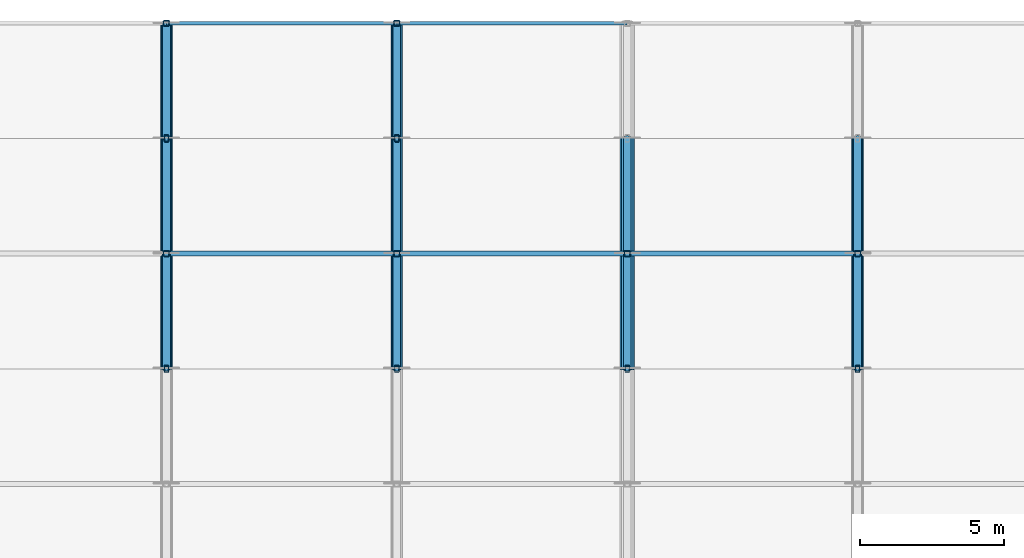
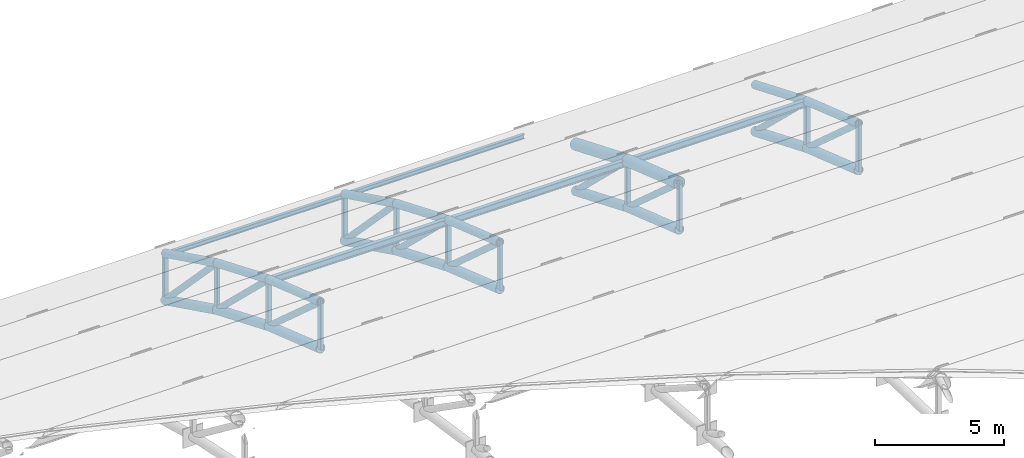
# One storey, part 21 of 98: 47 members.
"""IFC4 building model written with IfcOpenShell, lengths in metres."""

from ifc_helpers import new_model, si_unit, direction, frame, origin, origin_2d, place, context, subcontext, project, spatial, hollow_rectangle, hollow_circle, i_section, extrude, material, material_profile, profile_set, type_object, element, save


model = new_model("IFC4")

# Units and contexts
model_context = context("Model", 3, precision=1e-05, world=origin(), true_north=direction((0.0, 1.0)))
body_context = subcontext(model_context, "Body", "Model", "MODEL_VIEW")
ifc_project = project(units=[si_unit("LENGTHUNIT", "METRE"), si_unit("AREAUNIT", "SQUARE_METRE"), si_unit("VOLUMEUNIT", "CUBIC_METRE"), si_unit("PLANEANGLEUNIT", "RADIAN"), si_unit("MASSUNIT", "GRAM", prefix="KILO")], contexts=[model_context])

# Site, building, storey
site_placement = place(None, origin())
site = spatial("IfcSite", under=ifc_project, at=site_placement, CompositionType="ELEMENT")
building_placement = place(site_placement, origin())
building = spatial("IfcBuilding", under=site, at=building_placement, Name="Tlacozan Convention Centre", CompositionType="ELEMENT")
storey_placement = place(building_placement, frame((0.0, 0.0, 25.800048828125)))
storey = spatial("IfcBuildingStorey", under=building, at=storey_placement, Name="Roof", CompositionType="ELEMENT", Elevation=25.800048828125)

# Members
ifc_material_1 = material(Name="Steel ASTM A500 Grade C", Category="steel")
ifc_material_profile_1 = material_profile(ifc_material_1, hollow_circle(Radius=0.203125, WallThickness=0.015869140625, at=origin_2d()), Name="OC 406.4x15.9")
ifc_profile_set_1 = profile_set([ifc_material_profile_1], Name="Steel ASTM A500 Grade C")
member_type_1 = type_object("IfcMemberType", Name="Arch Bottom Chord OC 406.4x15.9", PredefinedType="CHORD", material=ifc_profile_set_1)
member_1_placement = place(storey_placement, frame((32.0, 114.0, -7.807861328125), z_axis=(0.0, 0.946164915813, -0.323684958077), x_axis=(-1.0, 0.0, 0.0)))
element("IfcMember", 1, at=member_1_placement, inside=storey, type_object=member_type_1, Name="V2A Roof Truss 5 Bottom Chord 14", PredefinedType="CHORD", context=body_context, shape_type="SweptSolid", body=[
    extrude(hollow_circle(Radius=0.203125, WallThickness=0.015869140625, at=origin_2d()), origin(), (0.0, 0.0, 1.0), 4.2275390625),
])
member_2_placement = place(storey_placement, frame((32.0, 118.0, -9.17626953125), z_axis=(0.0, 0.923948802258, -0.382516157575), x_axis=(-1.0, 0.0, 0.0)))
element("IfcMember", 2, at=member_2_placement, inside=storey, type_object=member_type_1, Name="V2A Roof Truss 5 Bottom Chord 15", PredefinedType="CHORD", context=body_context, shape_type="SweptSolid", body=[
    extrude(hollow_circle(Radius=0.203125, WallThickness=0.015869140625, at=origin_2d()), origin(), (0.0, 0.0, 1.0), 4.329345703125),
])
member_3_placement = place(storey_placement, frame((32.0, 122.0, -10.832275390625), z_axis=(0.0, 0.897300183135, -0.441420866459), x_axis=(-1.0, 0.0, 0.0)))
element("IfcMember", 3, at=member_3_placement, inside=storey, type_object=member_type_1, Name="V2A Roof Truss 5 Bottom Chord 16", PredefinedType="CHORD", context=body_context, shape_type="SweptSolid", body=[
    extrude(hollow_circle(Radius=0.203125, WallThickness=0.015869140625, at=origin_2d()), origin(), (0.0, 0.0, 1.0), 4.457763671875),
])
member_4_placement = place(storey_placement, frame((40.0, 114.0, -7.807861328125), z_axis=(0.0, 0.946164915813, -0.323684958077), x_axis=(-1.0, 0.0, 0.0)))
element("IfcMember", 4, at=member_4_placement, inside=storey, type_object=member_type_1, Name="V2A Roof Truss 6 Bottom Chord 14", PredefinedType="CHORD", context=body_context, shape_type="SweptSolid", body=[
    extrude(hollow_circle(Radius=0.203125, WallThickness=0.015869140625, at=origin_2d()), origin(), (0.0, 0.0, 1.0), 4.2275390625),
])
member_5_placement = place(storey_placement, frame((40.0, 118.0, -9.17626953125), z_axis=(0.0, 0.923948802258, -0.382516157575), x_axis=(-1.0, 0.0, 0.0)))
element("IfcMember", 5, at=member_5_placement, inside=storey, type_object=member_type_1, Name="V2A Roof Truss 6 Bottom Chord 15", PredefinedType="CHORD", context=body_context, shape_type="SweptSolid", body=[
    extrude(hollow_circle(Radius=0.203125, WallThickness=0.015869140625, at=origin_2d()), origin(), (0.0, 0.0, 1.0), 4.329345703125),
])
member_6_placement = place(storey_placement, frame((40.0, 122.0, -10.832275390625), z_axis=(0.0, 0.897300183135, -0.441420866459), x_axis=(-1.0, 0.0, 0.0)))
element("IfcMember", 6, at=member_6_placement, inside=storey, type_object=member_type_1, Name="V2A Roof Truss 6 Bottom Chord 16", PredefinedType="CHORD", context=body_context, shape_type="SweptSolid", body=[
    extrude(hollow_circle(Radius=0.203125, WallThickness=0.015869140625, at=origin_2d()), origin(), (0.0, 0.0, 1.0), 4.457763671875),
])
member_7_placement = place(storey_placement, frame((48.0, 114.0, -7.807861328125), z_axis=(0.0, 0.946164915813, -0.323684958077), x_axis=(-1.0, 0.0, 0.0)))
element("IfcMember", 7, at=member_7_placement, inside=storey, type_object=member_type_1, Name="V2A Roof Truss 7 Bottom Chord 14", PredefinedType="CHORD", context=body_context, shape_type="SweptSolid", body=[
    extrude(hollow_circle(Radius=0.203125, WallThickness=0.015869140625, at=origin_2d()), origin(), (0.0, 0.0, 1.0), 4.2275390625),
])
member_8_placement = place(storey_placement, frame((48.0, 118.0, -9.17626953125), z_axis=(0.0, 0.923948802258, -0.382516157575), x_axis=(-1.0, 0.0, 0.0)))
element("IfcMember", 8, at=member_8_placement, inside=storey, type_object=member_type_1, Name="V2A Roof Truss 7 Bottom Chord 15", PredefinedType="CHORD", context=body_context, shape_type="SweptSolid", body=[
    extrude(hollow_circle(Radius=0.203125, WallThickness=0.015869140625, at=origin_2d()), origin(), (0.0, 0.0, 1.0), 4.329345703125),
])
member_9_placement = place(storey_placement, frame((56.0, 114.0, -7.807861328125), z_axis=(0.0, 0.946164915813, -0.323684958077), x_axis=(-1.0, 0.0, 0.0)))
element("IfcMember", 9, at=member_9_placement, inside=storey, type_object=member_type_1, Name="V2A Roof Truss 8 Bottom Chord 14", PredefinedType="CHORD", context=body_context, shape_type="SweptSolid", body=[
    extrude(hollow_circle(Radius=0.203125, WallThickness=0.015869140625, at=origin_2d()), origin(), (0.0, 0.0, 1.0), 4.2275390625),
])
member_10_placement = place(storey_placement, frame((56.0, 118.0, -9.17626953125), z_axis=(0.0, 0.923948802258, -0.382516157575), x_axis=(-1.0, 0.0, 0.0)))
element("IfcMember", 10, at=member_10_placement, inside=storey, type_object=member_type_1, Name="V2A Roof Truss 8 Bottom Chord 15", PredefinedType="CHORD", context=body_context, shape_type="SweptSolid", body=[
    extrude(hollow_circle(Radius=0.203125, WallThickness=0.015869140625, at=origin_2d()), origin(), (0.0, 0.0, 1.0), 4.329345703125),
])
ifc_material_profile_2 = material_profile(ifc_material_1, hollow_circle(Radius=0.25390625, WallThickness=0.01904296875, at=origin_2d()), Name="OC 508.0x19.1")
ifc_profile_set_2 = profile_set([ifc_material_profile_2], Name="Steel ASTM A500 Grade C")
member_type_2 = type_object("IfcMemberType", Name="Arch Top Chord OC 508x19.1", PredefinedType="CHORD", material=ifc_profile_set_2)
member_11_placement = place(storey_placement, frame((48.0, 114.0, -5.607666015625), z_axis=(0.0, 0.946164915813, -0.323684958077), x_axis=(-1.0, 0.0, 0.0)))
element("IfcMember", 11, at=member_11_placement, inside=storey, type_object=member_type_2, Name="V2A Roof Truss 7 Top Chord 14", PredefinedType="CHORD", context=body_context, shape_type="SweptSolid", body=[
    extrude(hollow_circle(Radius=0.25390625, WallThickness=0.01904296875, at=origin_2d()), origin(), (0.0, 0.0, 1.0), 4.2275390625),
])
member_12_placement = place(storey_placement, frame((48.0, 118.0, -6.97607421875), z_axis=(0.0, 0.923928870591, -0.382564297979), x_axis=(-1.0, 0.0, 0.0)))
element("IfcMember", 12, at=member_12_placement, inside=storey, type_object=member_type_2, Name="V2A Roof Truss 7 Top Chord 15", PredefinedType="CHORD", context=body_context, shape_type="SweptSolid", body=[
    extrude(hollow_circle(Radius=0.25390625, WallThickness=0.01904296875, at=origin_2d()), origin(), (0.0, 0.0, 1.0), 4.329345703125),
])
ifc_material_profile_3 = material_profile(ifc_material_1, hollow_circle(Radius=0.136474609375, WallThickness=0.0126953125, at=origin_2d()), Name="OC 273.1x12.7")
ifc_profile_set_3 = profile_set([ifc_material_profile_3], Name="Steel ASTM A500 Grade C")
member_type_3 = type_object("IfcMemberType", Name="Arch Web Diagonal OC 273.1x12.7", PredefinedType="BRACE", material=ifc_profile_set_3)
member_13_placement = place(storey_placement, frame((32.0, 114.0, -5.607666015625), z_axis=(0.0, 0.746199427712, -0.665722475272), x_axis=(-1.0, 0.0, 0.0)))
element("IfcMember", 13, at=member_13_placement, inside=storey, type_object=member_type_3, Name="V2A Roof Truss 5 Web Diagonal 14", PredefinedType="BRACE", context=body_context, shape_type="SweptSolid", body=[
    extrude(hollow_circle(Radius=0.136474609375, WallThickness=0.0126953125, at=origin_2d()), origin(), (0.0, 0.0, 1.0), 5.360595703125),
])
member_14_placement = place(storey_placement, frame((32.0, 118.0, -6.97607421875), z_axis=(0.0, 0.719928977367, -0.694047741547), x_axis=(-1.0, 0.0, 0.0)))
element("IfcMember", 14, at=member_14_placement, inside=storey, type_object=member_type_3, Name="V2A Roof Truss 5 Web Diagonal 15", PredefinedType="BRACE", context=body_context, shape_type="SweptSolid", body=[
    extrude(hollow_circle(Radius=0.136474609375, WallThickness=0.0126953125, at=origin_2d()), origin(), (0.0, 0.0, 1.0), 5.55615234375),
])
member_15_placement = place(storey_placement, frame((32.0, 122.0, -8.63232421875), z_axis=(0.0, 0.69244032859, -0.721475149497), x_axis=(-1.0, 0.0, 0.0)))
element("IfcMember", 15, at=member_15_placement, inside=storey, type_object=member_type_3, Name="V2A Roof Truss 5 Web Diagonal 16", PredefinedType="BRACE", context=body_context, shape_type="SweptSolid", body=[
    extrude(hollow_circle(Radius=0.136474609375, WallThickness=0.0126953125, at=origin_2d()), origin(), (0.0, 0.0, 1.0), 5.776611328125),
])
member_16_placement = place(storey_placement, frame((40.0, 114.0, -5.607666015625), z_axis=(0.0, 0.746199427712, -0.665722475272), x_axis=(-1.0, 0.0, 0.0)))
element("IfcMember", 16, at=member_16_placement, inside=storey, type_object=member_type_3, Name="V2A Roof Truss 6 Web Diagonal 14", PredefinedType="BRACE", context=body_context, shape_type="SweptSolid", body=[
    extrude(hollow_circle(Radius=0.136474609375, WallThickness=0.0126953125, at=origin_2d()), origin(), (0.0, 0.0, 1.0), 5.360595703125),
])
member_17_placement = place(storey_placement, frame((40.0, 118.0, -6.97607421875), z_axis=(0.0, 0.719928977367, -0.694047741547), x_axis=(-1.0, 0.0, 0.0)))
element("IfcMember", 17, at=member_17_placement, inside=storey, type_object=member_type_3, Name="V2A Roof Truss 6 Web Diagonal 15", PredefinedType="BRACE", context=body_context, shape_type="SweptSolid", body=[
    extrude(hollow_circle(Radius=0.136474609375, WallThickness=0.0126953125, at=origin_2d()), origin(), (0.0, 0.0, 1.0), 5.55615234375),
])
member_18_placement = place(storey_placement, frame((40.0, 122.0, -8.63232421875), z_axis=(0.0, 0.69244032859, -0.721475149497), x_axis=(-1.0, 0.0, 0.0)))
element("IfcMember", 18, at=member_18_placement, inside=storey, type_object=member_type_3, Name="V2A Roof Truss 6 Web Diagonal 16", PredefinedType="BRACE", context=body_context, shape_type="SweptSolid", body=[
    extrude(hollow_circle(Radius=0.136474609375, WallThickness=0.0126953125, at=origin_2d()), origin(), (0.0, 0.0, 1.0), 5.776611328125),
])
member_19_placement = place(storey_placement, frame((48.0, 114.0, -5.607666015625), z_axis=(0.0, 0.746199427712, -0.665722475272), x_axis=(-1.0, 0.0, 0.0)))
element("IfcMember", 19, at=member_19_placement, inside=storey, type_object=member_type_3, Name="V2A Roof Truss 7 Web Diagonal 14", PredefinedType="BRACE", context=body_context, shape_type="SweptSolid", body=[
    extrude(hollow_circle(Radius=0.136474609375, WallThickness=0.0126953125, at=origin_2d()), origin(), (0.0, 0.0, 1.0), 5.360595703125),
])
member_20_placement = place(storey_placement, frame((48.0, 118.0, -6.97607421875), z_axis=(0.0, 0.719928977367, -0.694047741547), x_axis=(-1.0, 0.0, 0.0)))
element("IfcMember", 20, at=member_20_placement, inside=storey, type_object=member_type_3, Name="V2A Roof Truss 7 Web Diagonal 15", PredefinedType="BRACE", context=body_context, shape_type="SweptSolid", body=[
    extrude(hollow_circle(Radius=0.136474609375, WallThickness=0.0126953125, at=origin_2d()), origin(), (0.0, 0.0, 1.0), 5.55615234375),
])
member_21_placement = place(storey_placement, frame((56.0, 114.0, -5.607666015625), z_axis=(0.0, 0.746199427712, -0.665722475272), x_axis=(-1.0, 0.0, 0.0)))
element("IfcMember", 21, at=member_21_placement, inside=storey, type_object=member_type_3, Name="V2A Roof Truss 8 Web Diagonal 14", PredefinedType="BRACE", context=body_context, shape_type="SweptSolid", body=[
    extrude(hollow_circle(Radius=0.136474609375, WallThickness=0.0126953125, at=origin_2d()), origin(), (0.0, 0.0, 1.0), 5.360595703125),
])
member_22_placement = place(storey_placement, frame((56.0, 118.0, -6.97607421875), z_axis=(0.0, 0.719928977367, -0.694047741547), x_axis=(-1.0, 0.0, 0.0)))
element("IfcMember", 22, at=member_22_placement, inside=storey, type_object=member_type_3, Name="V2A Roof Truss 8 Web Diagonal 15", PredefinedType="BRACE", context=body_context, shape_type="SweptSolid", body=[
    extrude(hollow_circle(Radius=0.136474609375, WallThickness=0.0126953125, at=origin_2d()), origin(), (0.0, 0.0, 1.0), 5.55615234375),
])
ifc_material_profile_4 = material_profile(ifc_material_1, hollow_rectangle(XDim=0.203125, YDim=0.203125, WallThickness=0.0126953125, InnerFilletRadius=0.0126953125, OuterFilletRadius=0.02490234375, at=origin_2d()), Name="OR 203x203x12.7")
ifc_profile_set_4 = profile_set([ifc_material_profile_4], Name="Steel ASTM A500 Grade C")
member_type_4 = type_object("IfcMemberType", Name="Arch Web Strut OR 203x203x12.7", PredefinedType="STRUT", material=ifc_profile_set_4)
member_23_placement = place(storey_placement, frame((32.0, 118.0, -9.17626953125), z_axis=(0.0, 0.0, 1.0), x_axis=(1.0, 0.0, 0.0)))
element("IfcMember", 23, at=member_23_placement, inside=storey, type_object=member_type_4, Name="V2A Roof Truss 5 Vertical Strut 15", PredefinedType="STRUT", context=body_context, shape_type="SweptSolid", body=[
    extrude(hollow_rectangle(XDim=0.203125, YDim=0.203125, WallThickness=0.0126953125, InnerFilletRadius=0.0126953125, OuterFilletRadius=0.02490234375, at=origin_2d()), origin(), (0.0, 0.0, 1.0), 2.2001953125),
])
member_24_placement = place(storey_placement, frame((32.0, 126.0, -12.800048828125), z_axis=(0.0, 0.0, 1.0), x_axis=(1.0, 0.0, 0.0)))
element("IfcMember", 24, at=member_24_placement, inside=storey, type_object=member_type_4, Name="V2A Roof Truss 5 Vertical Strut 17", PredefinedType="STRUT", context=body_context, shape_type="SweptSolid", body=[
    extrude(hollow_rectangle(XDim=0.203125, YDim=0.203125, WallThickness=0.0126953125, InnerFilletRadius=0.0126953125, OuterFilletRadius=0.02490234375, at=origin_2d()), origin(), (0.0, 0.0, 1.0), 2.199951171875),
])
member_25_placement = place(storey_placement, frame((40.0, 118.0, -9.17626953125), z_axis=(0.0, 0.0, 1.0), x_axis=(1.0, 0.0, 0.0)))
element("IfcMember", 25, at=member_25_placement, inside=storey, type_object=member_type_4, Name="V2A Roof Truss 6 Vertical Strut 15", PredefinedType="STRUT", context=body_context, shape_type="SweptSolid", body=[
    extrude(hollow_rectangle(XDim=0.203125, YDim=0.203125, WallThickness=0.0126953125, InnerFilletRadius=0.0126953125, OuterFilletRadius=0.02490234375, at=origin_2d()), origin(), (0.0, 0.0, 1.0), 2.2001953125),
])
member_26_placement = place(storey_placement, frame((40.0, 126.0, -12.800048828125), z_axis=(0.0, 0.0, 1.0), x_axis=(1.0, 0.0, 0.0)))
element("IfcMember", 26, at=member_26_placement, inside=storey, type_object=member_type_4, Name="V2A Roof Truss 6 Vertical Strut 17", PredefinedType="STRUT", context=body_context, shape_type="SweptSolid", body=[
    extrude(hollow_rectangle(XDim=0.203125, YDim=0.203125, WallThickness=0.0126953125, InnerFilletRadius=0.0126953125, OuterFilletRadius=0.02490234375, at=origin_2d()), origin(), (0.0, 0.0, 1.0), 2.199951171875),
])
for number, where, z_axis, x_axis, name in (
    (27, (48.0, 118.0, -9.17626953125), (0.0, 0.0, 1.0), (1.0, 0.0, 0.0), "V2A Roof Truss 7 Vertical Strut 15"),
    (28, (56.0, 118.0, -9.17626953125), (0.0, 0.0, 1.0), (1.0, 0.0, 0.0), "V2A Roof Truss 8 Vertical Strut 15"),
):
    element("IfcMember", number, at=place(storey_placement, frame(where, z_axis=z_axis, x_axis=x_axis)), inside=storey, type_object=member_type_4, Name=name, PredefinedType="STRUT", context=body_context, shape_type="SweptSolid", body=[
        extrude(hollow_rectangle(XDim=0.203125, YDim=0.203125, WallThickness=0.0126953125, InnerFilletRadius=0.0126953125, OuterFilletRadius=0.02490234375, at=origin_2d()), origin(), (0.0, 0.0, 1.0), 2.2001953125),
    ])
ifc_material_2 = material(Name="Steel ASTM A992 Grade 50", Category="steel")
ifc_material_profile_5 = material_profile(ifc_material_2, i_section(OverallWidth=0.1669921875, OverallDepth=0.31689453125, WebThickness=0.007568359375, FlangeThickness=0.01318359375, FilletRadius=0.010009765625, at=origin_2d()), Name="IR 305x52.2")
ifc_profile_set_5 = profile_set([ifc_material_profile_5], Name="Steel ASTM A992 Grade 50")
member_type_5 = type_object("IfcMemberType", Name="Roof Purlin IR 305x52.2", PredefinedType="PURLIN", material=ifc_profile_set_5)
for number, where, z_axis, x_axis, name in (
    (29, (32.0, 118.0, -7.041259765625), (1.0, 0.0, 0.0), (0.0, 1.0, 0.0), "V2A Roof Truss Purlin 5.15"),
    (30, (40.0, 118.0, -7.041259765625), (1.0, 0.0, 0.0), (0.0, 1.0, 0.0), "V2A Roof Truss Purlin 6.15"),
    (31, (48.0, 118.0, -7.041259765625), (1.0, 0.0, 0.0), (0.0, 1.0, 0.0), "V2A Roof Truss Purlin 7.15"),
):
    element("IfcMember", number, at=place(storey_placement, frame(where, z_axis=z_axis, x_axis=x_axis)), inside=storey, type_object=member_type_5, Name=name, PredefinedType="PURLIN", context=body_context, shape_type="SweptSolid", body=[
        extrude(i_section(OverallWidth=0.1669921875, OverallDepth=0.31689453125, WebThickness=0.007568359375, FlangeThickness=0.01318359375, FilletRadius=0.010009765625, at=origin_2d()), origin(), (0.0, 0.0, 1.0), 8.0),
    ])
ifc_material_profile_6 = material_profile(ifc_material_1, hollow_circle(Radius=0.177734375, WallThickness=0.015869140625, at=origin_2d()), Name="OC 355.6x15.9")
ifc_profile_set_6 = profile_set([ifc_material_profile_6], Name="Steel ASTM A500 Grade C")
member_type_6 = type_object("IfcMemberType", Name="Secondary Arch Chord OC 355.6x15.9", PredefinedType="CHORD", material=ifc_profile_set_6)
member_27_placement = place(storey_placement, frame((32.0, 114.0, -5.607666015625), z_axis=(0.0, 0.946164915813, -0.323684958077), x_axis=(-1.0, 0.0, 0.0)))
element("IfcMember", 32, at=member_27_placement, inside=storey, type_object=member_type_6, Name="V2A Roof Truss 5 Top Chord 14", PredefinedType="CHORD", context=body_context, shape_type="SweptSolid", body=[
    extrude(hollow_circle(Radius=0.177734375, WallThickness=0.015869140625, at=origin_2d()), origin(), (0.0, 0.0, 1.0), 4.2275390625),
])
member_28_placement = place(storey_placement, frame((32.0, 118.0, -6.97607421875), z_axis=(0.0, 0.923928870591, -0.382564297979), x_axis=(-1.0, 0.0, 0.0)))
element("IfcMember", 33, at=member_28_placement, inside=storey, type_object=member_type_6, Name="V2A Roof Truss 5 Top Chord 15", PredefinedType="CHORD", context=body_context, shape_type="SweptSolid", body=[
    extrude(hollow_circle(Radius=0.177734375, WallThickness=0.015869140625, at=origin_2d()), origin(), (0.0, 0.0, 1.0), 4.329345703125),
])
member_29_placement = place(storey_placement, frame((32.0, 122.0, -8.63232421875), z_axis=(0.0, 0.897300183135, -0.441420866459), x_axis=(-1.0, 0.0, 0.0)))
element("IfcMember", 34, at=member_29_placement, inside=storey, type_object=member_type_6, Name="V2A Roof Truss 5 Top Chord 16", PredefinedType="CHORD", context=body_context, shape_type="SweptSolid", body=[
    extrude(hollow_circle(Radius=0.177734375, WallThickness=0.015869140625, at=origin_2d()), origin(), (0.0, 0.0, 1.0), 4.457763671875),
])
member_30_placement = place(storey_placement, frame((40.0, 114.0, -5.607666015625), z_axis=(0.0, 0.946164915813, -0.323684958077), x_axis=(-1.0, 0.0, 0.0)))
element("IfcMember", 35, at=member_30_placement, inside=storey, type_object=member_type_6, Name="V2A Roof Truss 6 Top Chord 14", PredefinedType="CHORD", context=body_context, shape_type="SweptSolid", body=[
    extrude(hollow_circle(Radius=0.177734375, WallThickness=0.015869140625, at=origin_2d()), origin(), (0.0, 0.0, 1.0), 4.2275390625),
])
member_31_placement = place(storey_placement, frame((40.0, 118.0, -6.97607421875), z_axis=(0.0, 0.923928870591, -0.382564297979), x_axis=(-1.0, 0.0, 0.0)))
element("IfcMember", 36, at=member_31_placement, inside=storey, type_object=member_type_6, Name="V2A Roof Truss 6 Top Chord 15", PredefinedType="CHORD", context=body_context, shape_type="SweptSolid", body=[
    extrude(hollow_circle(Radius=0.177734375, WallThickness=0.015869140625, at=origin_2d()), origin(), (0.0, 0.0, 1.0), 4.329345703125),
])
member_32_placement = place(storey_placement, frame((40.0, 122.0, -8.63232421875), z_axis=(0.0, 0.897300183135, -0.441420866459), x_axis=(-1.0, 0.0, 0.0)))
element("IfcMember", 37, at=member_32_placement, inside=storey, type_object=member_type_6, Name="V2A Roof Truss 6 Top Chord 16", PredefinedType="CHORD", context=body_context, shape_type="SweptSolid", body=[
    extrude(hollow_circle(Radius=0.177734375, WallThickness=0.015869140625, at=origin_2d()), origin(), (0.0, 0.0, 1.0), 4.457763671875),
])
member_33_placement = place(storey_placement, frame((56.0, 114.0, -5.607666015625), z_axis=(0.0, 0.946164915813, -0.323684958077), x_axis=(-1.0, 0.0, 0.0)))
element("IfcMember", 38, at=member_33_placement, inside=storey, type_object=member_type_6, Name="V2A Roof Truss 8 Top Chord 14", PredefinedType="CHORD", context=body_context, shape_type="SweptSolid", body=[
    extrude(hollow_circle(Radius=0.177734375, WallThickness=0.015869140625, at=origin_2d()), origin(), (0.0, 0.0, 1.0), 4.2275390625),
])
member_34_placement = place(storey_placement, frame((56.0, 118.0, -6.97607421875), z_axis=(0.0, 0.923928870591, -0.382564297979), x_axis=(-1.0, 0.0, 0.0)))
element("IfcMember", 39, at=member_34_placement, inside=storey, type_object=member_type_6, Name="V2A Roof Truss 8 Top Chord 15", PredefinedType="CHORD", context=body_context, shape_type="SweptSolid", body=[
    extrude(hollow_circle(Radius=0.177734375, WallThickness=0.015869140625, at=origin_2d()), origin(), (0.0, 0.0, 1.0), 4.329345703125),
])
ifc_material_profile_7 = material_profile(ifc_material_2, i_section(OverallWidth=0.134033203125, OverallDepth=0.2099609375, WebThickness=0.00634765625, FlangeThickness=0.01025390625, FilletRadius=0.008056640625, at=origin_2d()), Name="IR 203x31.3")
ifc_profile_set_7 = profile_set([ifc_material_profile_7], Name="Steel ASTM A992 Grade 50")
member_type_7 = type_object("IfcMemberType", Name="Secondary Eave Purlin IR 203x31.3", PredefinedType="PURLIN", material=ifc_profile_set_7)
for number, where, z_axis, x_axis, name in (
    (40, (32.0, 126.0, -10.6650390625), (1.0, 0.0, 0.0), (0.0, 1.0, 0.0), "V2A Roof Truss Purlin 5.17"),
    (41, (40.0, 126.0, -10.6650390625), (1.0, 0.0, 0.0), (0.0, 1.0, 0.0), "V2A Roof Truss Purlin 6.17"),
):
    element("IfcMember", number, at=place(storey_placement, frame(where, z_axis=z_axis, x_axis=x_axis)), inside=storey, type_object=member_type_7, Name=name, PredefinedType="PURLIN", context=body_context, shape_type="SweptSolid", body=[
        extrude(i_section(OverallWidth=0.134033203125, OverallDepth=0.2099609375, WebThickness=0.00634765625, FlangeThickness=0.01025390625, FilletRadius=0.008056640625, at=origin_2d()), origin(), (0.0, 0.0, 1.0), 8.0),
    ])
ifc_material_profile_8 = material_profile(ifc_material_1, hollow_rectangle(XDim=0.15234375, YDim=0.25390625, WallThickness=0.0126953125, InnerFilletRadius=0.0126953125, OuterFilletRadius=0.02490234375, at=origin_2d()), Name="OR 254x152x12.7")
ifc_profile_set_8 = profile_set([ifc_material_profile_8], Name="Steel ASTM A500 Grade C")
member_type_8 = type_object("IfcMemberType", Name="Truss Secondary Strut OR 254x152x12.7", PredefinedType="STRUT", material=ifc_profile_set_8)
member_35_placement = place(storey_placement, frame((32.0, 114.0, -7.807861328125), z_axis=(0.0, 0.0, 1.0), x_axis=(1.0, 0.0, 0.0)))
element("IfcMember", 42, at=member_35_placement, inside=storey, type_object=member_type_8, Name="V2A Roof Truss 5 Vertical Strut 14", PredefinedType="STRUT", context=body_context, shape_type="SweptSolid", body=[
    extrude(hollow_rectangle(XDim=0.15234375, YDim=0.25390625, WallThickness=0.0126953125, InnerFilletRadius=0.0126953125, OuterFilletRadius=0.02490234375, at=origin_2d()), origin(), (0.0, 0.0, 1.0), 2.2001953125),
])
member_36_placement = place(storey_placement, frame((32.0, 122.0, -10.832275390625), z_axis=(0.0, 0.0, 1.0), x_axis=(1.0, 0.0, 0.0)))
element("IfcMember", 43, at=member_36_placement, inside=storey, type_object=member_type_8, Name="V2A Roof Truss 5 Vertical Strut 16", PredefinedType="STRUT", context=body_context, shape_type="SweptSolid", body=[
    extrude(hollow_rectangle(XDim=0.15234375, YDim=0.25390625, WallThickness=0.0126953125, InnerFilletRadius=0.0126953125, OuterFilletRadius=0.02490234375, at=origin_2d()), origin(), (0.0, 0.0, 1.0), 2.199951171875),
])
member_37_placement = place(storey_placement, frame((40.0, 114.0, -7.807861328125), z_axis=(0.0, 0.0, 1.0), x_axis=(1.0, 0.0, 0.0)))
element("IfcMember", 44, at=member_37_placement, inside=storey, type_object=member_type_8, Name="V2A Roof Truss 6 Vertical Strut 14", PredefinedType="STRUT", context=body_context, shape_type="SweptSolid", body=[
    extrude(hollow_rectangle(XDim=0.15234375, YDim=0.25390625, WallThickness=0.0126953125, InnerFilletRadius=0.0126953125, OuterFilletRadius=0.02490234375, at=origin_2d()), origin(), (0.0, 0.0, 1.0), 2.2001953125),
])
member_38_placement = place(storey_placement, frame((40.0, 122.0, -10.832275390625), z_axis=(0.0, 0.0, 1.0), x_axis=(1.0, 0.0, 0.0)))
element("IfcMember", 45, at=member_38_placement, inside=storey, type_object=member_type_8, Name="V2A Roof Truss 6 Vertical Strut 16", PredefinedType="STRUT", context=body_context, shape_type="SweptSolid", body=[
    extrude(hollow_rectangle(XDim=0.15234375, YDim=0.25390625, WallThickness=0.0126953125, InnerFilletRadius=0.0126953125, OuterFilletRadius=0.02490234375, at=origin_2d()), origin(), (0.0, 0.0, 1.0), 2.199951171875),
])
for number, where, z_axis, x_axis, name in (
    (46, (48.0, 114.0, -7.807861328125), (0.0, 0.0, 1.0), (1.0, 0.0, 0.0), "V2A Roof Truss 7 Vertical Strut 14"),
    (47, (56.0, 114.0, -7.807861328125), (0.0, 0.0, 1.0), (1.0, 0.0, 0.0), "V2A Roof Truss 8 Vertical Strut 14"),
):
    element("IfcMember", number, at=place(storey_placement, frame(where, z_axis=z_axis, x_axis=x_axis)), inside=storey, type_object=member_type_8, Name=name, PredefinedType="STRUT", context=body_context, shape_type="SweptSolid", body=[
        extrude(hollow_rectangle(XDim=0.15234375, YDim=0.25390625, WallThickness=0.0126953125, InnerFilletRadius=0.0126953125, OuterFilletRadius=0.02490234375, at=origin_2d()), origin(), (0.0, 0.0, 1.0), 2.2001953125),
    ])

save(model, "model.ifc")
